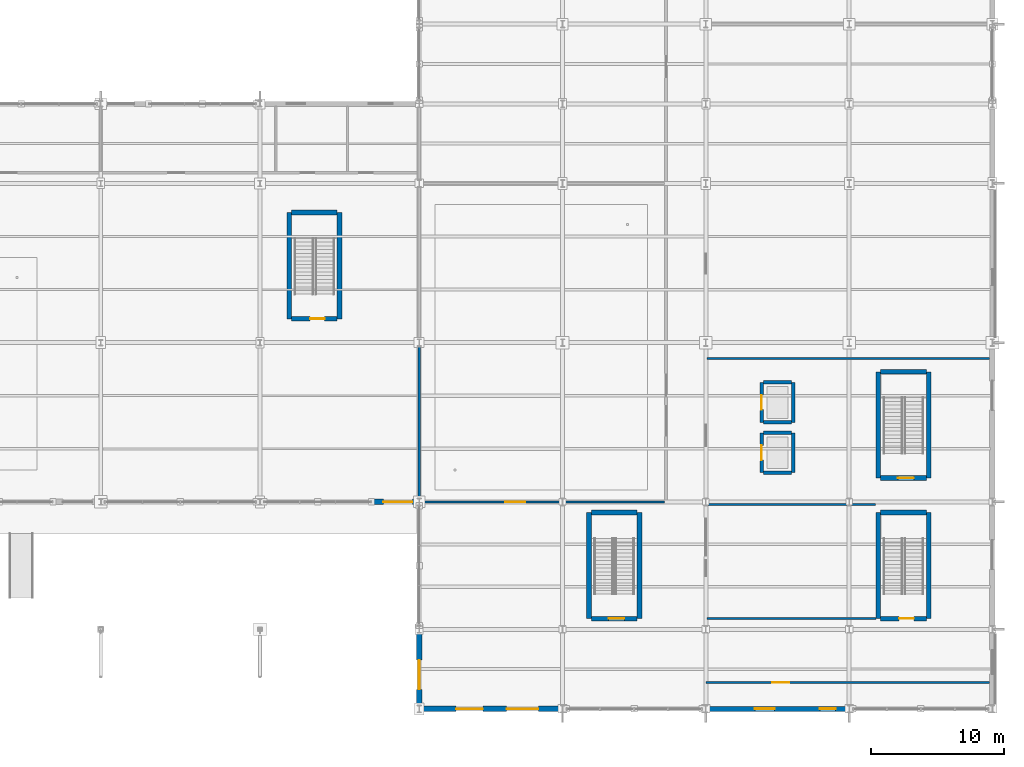
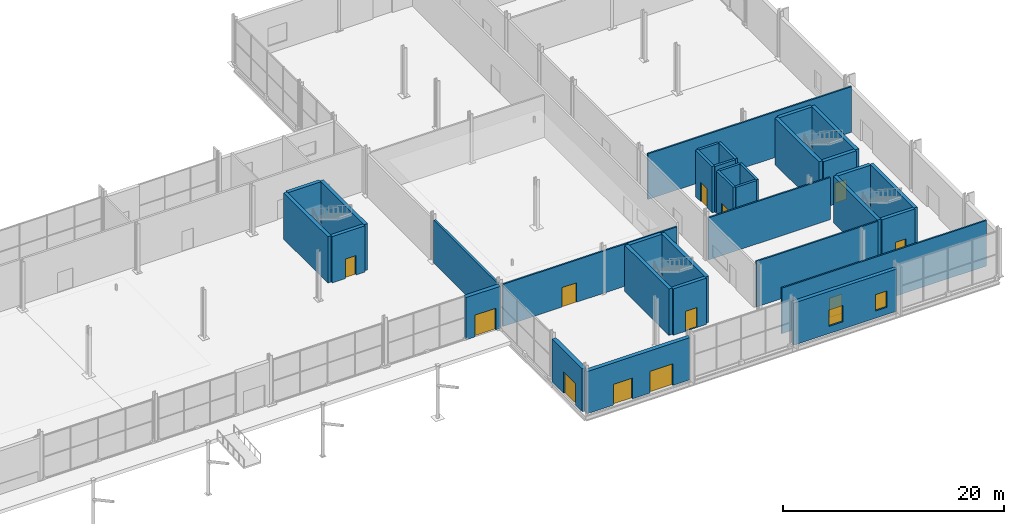
# One storey, part 174 of 196: 34 walls, 12 doors, 2 windows, 14 openings.
"""IFC4 building model written with IfcOpenShell, lengths in metres."""

from ifc_helpers import new_model, si_unit, direction, frame, frame_2d, origin, place, context, subcontext, project, spatial, rectangle, extrude, material, layer, layer_set, type_object, element, fill, save


model = new_model("IFC4")

# Units and contexts
model_context = context("Model", 3, precision=1e-05, world=origin(), true_north=direction((0.0, 1.0)))
body_context = subcontext(model_context, "Body", "Model", "MODEL_VIEW")
ifc_project = project(units=[si_unit("LENGTHUNIT", "METRE"), si_unit("AREAUNIT", "SQUARE_METRE"), si_unit("VOLUMEUNIT", "CUBIC_METRE"), si_unit("PLANEANGLEUNIT", "RADIAN"), si_unit("MASSUNIT", "GRAM", prefix="KILO")], contexts=[model_context])

# Site, building, storey
site_placement = place(None, origin())
site = spatial("IfcSite", under=ifc_project, at=site_placement, CompositionType="ELEMENT")
building_placement = place(site_placement, origin())
building = spatial("IfcBuilding", under=site, at=building_placement, Name="Merenkruunu Market Hall", CompositionType="ELEMENT")
storey_placement = place(building_placement, origin())
storey = spatial("IfcBuildingStorey", under=building, at=storey_placement, Name="L00", CompositionType="ELEMENT", Elevation=0.0)

# Wall, opening, door
ifc_material_1 = material(Name="Kuru grey granite", Category="masonry")
ifc_layer_1 = layer(ifc_material_1, 0.419921875)
ifc_layer_set_1 = layer_set([ifc_layer_1], Name="Kuru grey granite")
wall_type_1 = type_object("IfcWallType", Name="Exterior Envelope Wall EW01", PredefinedType="STANDARD", material=ifc_layer_set_1)
wall_1_placement = place(storey_placement, frame((148.789794921875, 15.60009765625, 0.0), z_axis=(0.0, 0.0, 1.0), x_axis=(-1.0, 0.0, 0.0)))
wall_1 = element("IfcWall", 1, at=wall_1_placement, inside=storey, type_object=wall_type_1, Name="WALL-EXT-L00-0037", PredefinedType="STANDARD", context=body_context, shape_type="SweptSolid", body=[
    extrude(rectangle(XDim=3.58984375, YDim=0.419921875, at=frame_2d((1.794921875, 0.0))), origin(), (0.0, 0.0, 1.0), 4.6650390625),
])
opening_1_placement = place(wall_1_placement, frame((0.5, 0.0, 0.0)))
opening_1 = element("IfcOpeningElement", 2, at=opening_1_placement, cuts=wall_1, Name="Opening EXD02", PredefinedType="OPENING", context=body_context, shape_type="SweptSolid", body=[
    extrude(rectangle(XDim=2.199951171875, YDim=2.39990234375, at=frame_2d((1.10009765625, 1.199951171875))), frame((0.0, 0.219970703125, 0.0), z_axis=(0.0, -1.0, 0.0), x_axis=(1.0, 0.0, 0.0)), (0.0, 0.0, 1.0), 0.43994140625),
])
ifc_material_2 = material(Name="Powder-coated aluminium", Category="aluminium")
door_type_1 = type_object("IfcDoorType", Name="Pedestrian Exit Door EXD02", OperationType="NOTDEFINED", PredefinedType="DOOR", material=ifc_material_2)
door_1_placement = place(opening_1_placement, origin())
door_1 = element("IfcDoor", 3, at=door_1_placement, inside=storey, type_object=door_type_1, Name="EX-21", OperationType="DOUBLE_DOOR_SINGLE_SWING", OverallHeight=2.39990234375, OverallWidth=2.199951171875, PredefinedType="DOOR", context=body_context, shape_type="SweptSolid", body=[
    extrude(rectangle(XDim=2.199951171875, YDim=2.39990234375, at=frame_2d((1.10009765625, 1.199951171875))), frame((0.0, 0.02490234375, 0.0), z_axis=(0.0, -1.0, 0.0), x_axis=(1.0, 0.0, 0.0)), (0.0, 0.0, 1.0), 0.050048828125),
])
fill(opening_1, door_1)

# Wall, openings, doors
wall_2_placement = place(storey_placement, frame((159.58837890625, 0.0, 0.0), z_axis=(0.0, 0.0, 1.0), x_axis=(-1.0, 0.0, 0.0)))
wall_2 = element("IfcWall", 4, at=wall_2_placement, inside=storey, type_object=wall_type_1, Name="WALL-EXT-L00-0057", PredefinedType="STANDARD", context=body_context, shape_type="SweptSolid", body=[
    extrude(rectangle(XDim=10.778076171875, YDim=0.419921875, at=frame_2d((5.38916015625, 0.0))), origin(), (0.0, 0.0, 1.0), 4.6650390625),
])
opening_2_placement = place(wall_2_placement, frame((1.800048828125, 0.0, 0.0)))
opening_2 = element("IfcOpeningElement", 5, at=opening_2_placement, cuts=wall_2, Name="Opening EXD01", PredefinedType="OPENING", context=body_context, shape_type="SweptSolid", body=[
    extrude(rectangle(XDim=2.39990234375, YDim=2.39990234375, at=frame_2d((1.199951171875, 1.199951171875))), frame((0.0, 0.219970703125, 0.0), z_axis=(0.0, -1.0, 0.0), x_axis=(1.0, 0.0, 0.0)), (0.0, 0.0, 1.0), 0.43994140625),
])
opening_3_placement = place(wall_2_placement, frame((6.0, 0.0, 0.0)))
opening_3 = element("IfcOpeningElement", 6, at=opening_3_placement, cuts=wall_2, Name="Opening EXD03", PredefinedType="OPENING", context=body_context, shape_type="SweptSolid", body=[
    extrude(rectangle(XDim=2.0, YDim=2.300048828125, at=frame_2d((1.0, 1.14990234375))), frame((0.0, 0.219970703125, 0.0), z_axis=(0.0, -1.0, 0.0), x_axis=(1.0, 0.0, 0.0)), (0.0, 0.0, 1.0), 0.43994140625),
])
door_type_2 = type_object("IfcDoorType", Name="Pedestrian Exit Door EXD01", OperationType="NOTDEFINED", PredefinedType="DOOR", material=ifc_material_2)
door_2_placement = place(opening_2_placement, origin())
door_2 = element("IfcDoor", 7, at=door_2_placement, inside=storey, type_object=door_type_2, Name="EX-25", OperationType="DOUBLE_DOOR_SINGLE_SWING", OverallHeight=2.39990234375, OverallWidth=2.39990234375, PredefinedType="DOOR", context=body_context, shape_type="SweptSolid", body=[
    extrude(rectangle(XDim=2.39990234375, YDim=2.39990234375, at=frame_2d((1.199951171875, 1.199951171875))), frame((0.0, 0.02490234375, 0.0), z_axis=(0.0, -1.0, 0.0), x_axis=(1.0, 0.0, 0.0)), (0.0, 0.0, 1.0), 0.050048828125),
])
fill(opening_2, door_2)
door_type_3 = type_object("IfcDoorType", Name="Pedestrian Exit Door EXD03", OperationType="NOTDEFINED", PredefinedType="DOOR", material=ifc_material_2)
door_3_placement = place(opening_3_placement, origin())
door_3 = element("IfcDoor", 8, at=door_3_placement, inside=storey, type_object=door_type_3, Name="EX-26", OperationType="DOUBLE_DOOR_SINGLE_SWING", OverallHeight=2.300048828125, OverallWidth=2.0, PredefinedType="DOOR", context=body_context, shape_type="SweptSolid", body=[
    extrude(rectangle(XDim=2.0, YDim=2.300048828125, at=frame_2d((1.0, 1.14990234375))), frame((0.0, 0.02490234375, 0.0), z_axis=(0.0, -1.0, 0.0), x_axis=(1.0, 0.0, 0.0)), (0.0, 0.0, 1.0), 0.050048828125),
])
fill(opening_3, door_3)

# Wall, opening, door
wall_3_placement = place(storey_placement, frame((148.800048828125, 0.27392578125, 0.0), z_axis=(0.0, 0.0, 1.0), x_axis=(0.0, 1.0, 0.0)))
wall_3 = element("IfcWall", 9, at=wall_3_placement, inside=storey, type_object=wall_type_1, Name="WALL-EXT-L00-0069", PredefinedType="STANDARD", context=body_context, shape_type="SweptSolid", body=[
    extrude(rectangle(XDim=5.4521484375, YDim=0.419921875, at=frame_2d((2.72607421875, 0.0))), origin(), (0.0, 0.0, 1.0), 4.764892578125),
])
opening_4_placement = place(wall_3_placement, frame((1.199951171875, 0.0, 0.0)))
opening_4 = element("IfcOpeningElement", 10, at=opening_4_placement, cuts=wall_3, Name="Opening EXD02", PredefinedType="OPENING", context=body_context, shape_type="SweptSolid", body=[
    extrude(rectangle(XDim=2.199951171875, YDim=2.39990234375, at=frame_2d((1.10009765625, 1.199951171875))), frame((0.0, 0.219970703125, 0.0), z_axis=(0.0, -1.0, 0.0), x_axis=(1.0, 0.0, 0.0)), (0.0, 0.0, 1.0), 0.43994140625),
])
door_4_placement = place(opening_4_placement, origin())
door_4 = element("IfcDoor", 11, at=door_4_placement, inside=storey, type_object=door_type_1, Name="EX-31", OperationType="DOUBLE_DOOR_SINGLE_SWING", OverallHeight=2.39990234375, OverallWidth=2.199951171875, PredefinedType="DOOR", context=body_context, shape_type="SweptSolid", body=[
    extrude(rectangle(XDim=2.199951171875, YDim=2.39990234375, at=frame_2d((1.10009765625, 1.199951171875))), frame((0.0, 0.02490234375, 0.0), z_axis=(0.0, -1.0, 0.0), x_axis=(1.0, 0.0, 0.0)), (0.0, 0.0, 1.0), 0.050048828125),
])
fill(opening_4, door_4)

# Wall, openings, windows
ifc_material_3 = material(Name="Precast concrete C40/50", Category="concrete")
ifc_layer_2 = layer(ifc_material_3, 0.3798828125)
ifc_layer_set_2 = layer_set([ifc_layer_2], Name="Precast concrete C40/50")
wall_type_2 = type_object("IfcWallType", Name="Exterior Envelope Wall EW02", PredefinedType="STANDARD", material=ifc_layer_set_2)
wall_4_placement = place(storey_placement, frame((181.1884765625, 0.0, 0.0), z_axis=(0.0, 0.0, 1.0), x_axis=(-1.0, 0.0, 0.0)))
wall_4 = element("IfcWall", 12, at=wall_4_placement, inside=storey, type_object=wall_type_2, Name="WALL-EXT-L00-0058", PredefinedType="STANDARD", context=body_context, shape_type="SweptSolid", body=[
    extrude(rectangle(XDim=10.77685546875, YDim=0.3798828125, at=frame_2d((5.388427734375, 0.0))), origin(), (0.0, 0.0, 1.0), 4.6650390625),
])
opening_5_placement = place(wall_4_placement, frame((1.0, 0.0, 0.800048828125)))
opening_5 = element("IfcOpeningElement", 13, at=opening_5_placement, cuts=wall_4, Name="Opening WN01", PredefinedType="OPENING", context=body_context, shape_type="SweptSolid", body=[
    extrude(rectangle(XDim=1.199951171875, YDim=1.800048828125, at=frame_2d((0.60009765625, 0.89990234375))), frame((0.0, 0.199951171875, 0.0), z_axis=(0.0, -1.0, 0.0), x_axis=(1.0, 0.0, 0.0)), (0.0, 0.0, 1.0), 0.39990234375),
])
opening_6_placement = place(wall_4_placement, frame((5.60009765625, 0.0, 0.800048828125)))
opening_6 = element("IfcOpeningElement", 14, at=opening_6_placement, cuts=wall_4, Name="Opening WN02", PredefinedType="OPENING", context=body_context, shape_type="SweptSolid", body=[
    extrude(rectangle(XDim=1.5, YDim=1.800048828125, at=frame_2d((0.75, 0.89990234375))), frame((0.0, 0.199951171875, 0.0), z_axis=(0.0, -1.0, 0.0), x_axis=(1.0, 0.0, 0.0)), (0.0, 0.0, 1.0), 0.39990234375),
])
ifc_material_4 = material(Name="Triple low-E insulated glass", Category="glass")
ifc_layer_3 = layer(ifc_material_4, 0.06005859375)
ifc_layer_set_3 = layer_set([ifc_layer_3], Name="Triple low-E insulated glass")
window_type_1 = type_object("IfcWindowType", Name="Exterior Window WN01", PartitioningType="SINGLE_PANEL", PredefinedType="WINDOW", material=ifc_layer_set_3)
window_1_placement = place(opening_5_placement, origin())
window_1 = element("IfcWindow", 15, at=window_1_placement, inside=storey, type_object=window_type_1, Name="WIN-L00-0020", OverallHeight=1.800048828125, OverallWidth=1.199951171875, PartitioningType="SINGLE_PANEL", PredefinedType="WINDOW", context=body_context, shape_type="SweptSolid", body=[
    extrude(rectangle(XDim=1.199951171875, YDim=1.800048828125, at=frame_2d((0.60009765625, 0.89990234375))), frame((0.0, 0.030029296875, 0.0), z_axis=(0.0, -1.0, 0.0), x_axis=(1.0, 0.0, 0.0)), (0.0, 0.0, 1.0), 0.06005859375),
])
fill(opening_5, window_1)
ifc_layer_4 = layer(ifc_material_4, 0.06005859375)
ifc_layer_set_4 = layer_set([ifc_layer_4], Name="Triple low-E insulated glass")
window_type_2 = type_object("IfcWindowType", Name="Exterior Window WN02", PartitioningType="SINGLE_PANEL", PredefinedType="WINDOW", material=ifc_layer_set_4)
window_2_placement = place(opening_6_placement, origin())
window_2 = element("IfcWindow", 16, at=window_2_placement, inside=storey, type_object=window_type_2, Name="WIN-L00-0021", OverallHeight=1.800048828125, OverallWidth=1.5, PartitioningType="SINGLE_PANEL", PredefinedType="WINDOW", context=body_context, shape_type="SweptSolid", body=[
    extrude(rectangle(XDim=1.5, YDim=1.800048828125, at=frame_2d((0.75, 0.89990234375))), frame((0.0, 0.030029296875, 0.0), z_axis=(0.0, -1.0, 0.0), x_axis=(1.0, 0.0, 0.0)), (0.0, 0.0, 1.0), 0.06005859375),
])
fill(opening_6, window_2)

# Wall
ifc_material_5 = material(Name="Acoustic mineral wool panel")
ifc_layer_5 = layer(ifc_material_5, 0.219970703125)
ifc_layer_set_5 = layer_set([ifc_layer_5], Name="Acoustic mineral wool panel")
wall_type_3 = type_object("IfcWallType", Name="Interior Partition Wall FW01", PredefinedType="PARTITIONING", material=ifc_layer_set_5)
wall_5_placement = place(storey_placement, frame((148.800048828125, 15.8798828125, 0.0), z_axis=(0.0, 0.0, 1.0), x_axis=(0.0, 1.0, 0.0)))
element("IfcWall", 17, at=wall_5_placement, inside=storey, type_object=wall_type_3, Name="WALL-EXT-L00-0070", PredefinedType="PARTITIONING", context=body_context, shape_type="SweptSolid", body=[
    extrude(rectangle(XDim=11.440185546875, YDim=0.219970703125, at=frame_2d((5.72021484375, 0.0))), origin(), (0.0, 0.0, 1.0), 4.764892578125),
])

# Wall, opening, door
ifc_material_6 = material(Name="Gypsum acoustic partition board")
ifc_layer_6 = layer(ifc_material_6, 0.159912109375)
ifc_layer_set_6 = layer_set([ifc_layer_6], Name="Gypsum acoustic partition board")
wall_type_4 = type_object("IfcWallType", Name="Interior Partition Wall PW01", PredefinedType="PARTITIONING", material=ifc_layer_set_6)
wall_6_placement = place(storey_placement, frame((170.39990234375, 2.0, 0.0), z_axis=(0.0, 0.0, 1.0), x_axis=(1.0, 0.0, 0.0)))
wall_6 = element("IfcWall", 18, at=wall_6_placement, inside=storey, type_object=wall_type_4, Name="WALL-INT-L00-0042", PredefinedType="PARTITIONING", context=body_context, shape_type="SweptSolid", body=[
    extrude(rectangle(XDim=21.38818359375, YDim=0.159912109375, at=frame_2d((10.694091796875, 0.0))), origin(), (0.0, 0.0, 1.0), 5.0400390625),
])
opening_7_placement = place(wall_6_placement, frame((5.0, 0.0, 0.0)))
opening_7 = element("IfcOpeningElement", 19, at=opening_7_placement, cuts=wall_6, Name="Opening D05", PredefinedType="OPENING", context=body_context, shape_type="SweptSolid", body=[
    extrude(rectangle(XDim=1.300048828125, YDim=2.14990234375, at=frame_2d((0.64990234375, 1.074951171875))), frame((0.0, 0.08984375, 0.0), z_axis=(0.0, -1.0, 0.0), x_axis=(1.0, 0.0, 0.0)), (0.0, 0.0, 1.0), 0.179931640625),
])
ifc_material_7 = material(Name="Lacquered Nordic birch")
door_type_4 = type_object("IfcDoorType", Name="Pedestrian Room Door D05", OperationType="NOTDEFINED", PredefinedType="DOOR", material=ifc_material_7)
door_5_placement = place(opening_7_placement, origin())
door_5 = element("IfcDoor", 20, at=door_5_placement, inside=storey, type_object=door_type_4, Name="DR-L00-046", OperationType="SINGLE_SWING_RIGHT", OverallHeight=2.14990234375, OverallWidth=1.300048828125, PredefinedType="DOOR", context=body_context, shape_type="SweptSolid", body=[
    extrude(rectangle(XDim=1.300048828125, YDim=2.14990234375, at=frame_2d((0.64990234375, 1.074951171875))), frame((0.0, 0.02490234375, 0.0), z_axis=(0.0, -1.0, 0.0), x_axis=(1.0, 0.0, 0.0)), (0.0, 0.0, 1.0), 0.050048828125),
])
fill(opening_7, door_5)

wall_7_placement = place(storey_placement, frame((149.10009765625, 15.60009765625, 0.0), z_axis=(0.0, 0.0, 1.0), x_axis=(1.0, 0.0, 0.0)))
wall_7 = element("IfcWall", 21, at=wall_7_placement, inside=storey, type_object=wall_type_4, Name="WALL-INT-L00-0044", PredefinedType="PARTITIONING", context=body_context, shape_type="SweptSolid", body=[
    extrude(rectangle(XDim=18.197998046875, YDim=0.159912109375, at=frame_2d((9.09912109375, 0.0))), origin(), (0.0, 0.0, 1.0), 4.6650390625),
])
opening_8_placement = place(wall_7_placement, frame((6.199951171875, 0.0, 0.0)))
opening_8 = element("IfcOpeningElement", 22, at=opening_8_placement, cuts=wall_7, Name="Opening D06", PredefinedType="OPENING", context=body_context, shape_type="SweptSolid", body=[
    extrude(rectangle(XDim=1.5, YDim=2.14990234375, at=frame_2d((0.75, 1.074951171875))), frame((0.0, 0.08984375, 0.0), z_axis=(0.0, -1.0, 0.0), x_axis=(1.0, 0.0, 0.0)), (0.0, 0.0, 1.0), 0.179931640625),
])
door_type_5 = type_object("IfcDoorType", Name="Pedestrian Room Door D06", OperationType="NOTDEFINED", PredefinedType="DOOR", material=ifc_material_7)
door_6_placement = place(opening_8_placement, origin())
door_6 = element("IfcDoor", 23, at=door_6_placement, inside=storey, type_object=door_type_5, Name="DR-L00-049", OperationType="SINGLE_SWING_LEFT", OverallHeight=2.14990234375, OverallWidth=1.5, PredefinedType="DOOR", context=body_context, shape_type="SweptSolid", body=[
    extrude(rectangle(XDim=1.5, YDim=2.14990234375, at=frame_2d((0.75, 1.074951171875))), frame((0.0, 0.02490234375, 0.0), z_axis=(0.0, -1.0, 0.0), x_axis=(1.0, 0.0, 0.0)), (0.0, 0.0, 1.0), 0.050048828125),
])
fill(opening_8, door_6)

# Walls
wall_8_placement = place(storey_placement, frame((170.501953125, 6.800048828125, 0.0), z_axis=(0.0, 0.0, 1.0), x_axis=(1.0, 0.0, 0.0)))
element("IfcWall", 24, at=wall_8_placement, inside=storey, type_object=wall_type_4, Name="WALL-INT-L00-0047", PredefinedType="PARTITIONING", context=body_context, shape_type="SweptSolid", body=[
    extrude(rectangle(XDim=12.716064453125, YDim=0.159912109375, at=frame_2d((6.35791015625, 0.0))), origin(), (0.0, 0.0, 1.0), 5.0400390625),
])
wall_9_placement = place(storey_placement, frame((170.501953125, 15.39990234375, 0.0), z_axis=(0.0, 0.0, 1.0), x_axis=(1.0, 0.0, 0.0)))
element("IfcWall", 25, at=wall_9_placement, inside=storey, type_object=wall_type_4, Name="WALL-INT-L00-0048", PredefinedType="PARTITIONING", context=body_context, shape_type="SweptSolid", body=[
    extrude(rectangle(XDim=12.697998046875, YDim=0.159912109375, at=frame_2d((6.34912109375, 0.0))), origin(), (0.0, 0.0, 1.0), 4.6650390625),
])
wall_10_placement = place(storey_placement, frame((170.501953125, 26.39990234375, 0.0), z_axis=(0.0, 0.0, 1.0), x_axis=(1.0, 0.0, 0.0)))
element("IfcWall", 26, at=wall_10_placement, inside=storey, type_object=wall_type_4, Name="WALL-INT-L00-0049", PredefinedType="PARTITIONING", context=body_context, shape_type="SweptSolid", body=[
    extrude(rectangle(XDim=21.2861328125, YDim=0.159912109375, at=frame_2d((10.64306640625, 0.0))), origin(), (0.0, 0.0, 1.0), 5.0400390625),
])

# Wall, opening, door
ifc_material_8 = material(Name="Concrete C35/45", Category="concrete")
ifc_layer_7 = layer(ifc_material_8, 0.360107421875)
ifc_layer_set_7 = layer_set([ifc_layer_7], Name="Concrete C35/45")
wall_type_5 = type_object("IfcWallType", Name="Structural Shear Wall SW01", PredefinedType="SHEAR", material=ifc_layer_set_7)
wall_11_placement = place(storey_placement, frame((187.02001953125, 6.800048828125, 0.0), z_axis=(0.0, 0.0, 1.0), x_axis=(-1.0, 0.0, 0.0)))
wall_11 = element("IfcWall", 27, at=wall_11_placement, inside=storey, type_object=wall_type_5, Name="WALL-CORE-K5-L00-S", PredefinedType="SHEAR", context=body_context, shape_type="SweptSolid", body=[
    extrude(rectangle(XDim=3.43994140625, YDim=0.360107421875, at=frame_2d((1.719970703125, 0.0))), origin(), (0.0, 0.0, 1.0), 5.1201171875),
])
opening_9_placement = place(wall_11_placement, frame((0.949951171875, 0.0, 0.0)))
opening_9 = element("IfcOpeningElement", 28, at=opening_9_placement, cuts=wall_11, Name="Opening FD02", PredefinedType="OPENING", context=body_context, shape_type="SweptSolid", body=[
    extrude(rectangle(XDim=1.10009765625, YDim=2.14990234375, at=frame_2d((0.550048828125, 1.074951171875))), frame((0.0, 0.18994140625, 0.0), z_axis=(0.0, -1.0, 0.0), x_axis=(1.0, 0.0, 0.0)), (0.0, 0.0, 1.0), 0.380126953125),
])
door_type_6 = type_object("IfcDoorType", Name="Fire Compartment Door FD02", OperationType="NOTDEFINED", PredefinedType="DOOR", material=ifc_material_2)
door_7_placement = place(opening_9_placement, origin())
door_7 = element("IfcDoor", 29, at=door_7_placement, inside=storey, type_object=door_type_6, Name="DR-L00-111", OperationType="SINGLE_SWING_LEFT", OverallHeight=2.14990234375, OverallWidth=1.10009765625, PredefinedType="DOOR", context=body_context, shape_type="SweptSolid", body=[
    extrude(rectangle(XDim=1.10009765625, YDim=2.14990234375, at=frame_2d((0.550048828125, 1.074951171875))), frame((0.0, 0.02490234375, 0.0), z_axis=(0.0, -1.0, 0.0), x_axis=(1.0, 0.0, 0.0)), (0.0, 0.0, 1.0), 0.050048828125),
])
fill(opening_9, door_7)

# Walls
wall_12_placement = place(storey_placement, frame((187.199951171875, 6.800048828125, 0.0), z_axis=(0.0, 0.0, 1.0), x_axis=(0.0, 1.0, 0.0)))
element("IfcWall", 30, at=wall_12_placement, inside=storey, type_object=wall_type_5, Name="WALL-CORE-K5-L00-E", PredefinedType="SHEAR", context=body_context, shape_type="SweptSolid", body=[
    extrude(rectangle(XDim=8.0, YDim=0.360107421875, at=frame_2d((4.0, 0.0))), origin(), (0.0, 0.0, 1.0), 5.1201171875),
])
wall_13_placement = place(storey_placement, frame((187.02001953125, 14.800048828125, 0.0), z_axis=(0.0, 0.0, 1.0), x_axis=(-1.0, 0.0, 0.0)))
element("IfcWall", 31, at=wall_13_placement, inside=storey, type_object=wall_type_5, Name="WALL-CORE-K5-L00-N", PredefinedType="SHEAR", context=body_context, shape_type="SweptSolid", body=[
    extrude(rectangle(XDim=3.43994140625, YDim=0.360107421875, at=frame_2d((1.719970703125, 0.0))), origin(), (0.0, 0.0, 1.0), 5.1201171875),
])
wall_14_placement = place(storey_placement, frame((183.39990234375, 14.800048828125, 0.0), z_axis=(0.0, 0.0, 1.0), x_axis=(0.0, -1.0, 0.0)))
element("IfcWall", 32, at=wall_14_placement, inside=storey, type_object=wall_type_5, Name="WALL-CORE-K5-L00-W", PredefinedType="SHEAR", context=body_context, shape_type="SweptSolid", body=[
    extrude(rectangle(XDim=8.0, YDim=0.360107421875, at=frame_2d((4.0, 0.0))), origin(), (0.0, 0.0, 1.0), 5.1201171875),
])

# Wall, opening, door
wall_15_placement = place(storey_placement, frame((187.02001953125, 17.39990234375, 0.0), z_axis=(0.0, 0.0, 1.0), x_axis=(-1.0, 0.0, 0.0)))
wall_15 = element("IfcWall", 33, at=wall_15_placement, inside=storey, type_object=wall_type_5, Name="WALL-CORE-K6-L00-S", PredefinedType="SHEAR", context=body_context, shape_type="SweptSolid", body=[
    extrude(rectangle(XDim=3.43994140625, YDim=0.360107421875, at=frame_2d((1.719970703125, 0.0))), origin(), (0.0, 0.0, 1.0), 5.1201171875),
])
opening_10_placement = place(wall_15_placement, frame((0.949951171875, 0.0, 0.0)))
opening_10 = element("IfcOpeningElement", 34, at=opening_10_placement, cuts=wall_15, Name="Opening FD03", PredefinedType="OPENING", context=body_context, shape_type="SweptSolid", body=[
    extrude(rectangle(XDim=1.199951171875, YDim=2.199951171875, at=frame_2d((0.60009765625, 1.10009765625))), frame((0.0, 0.18994140625, 0.0), z_axis=(0.0, -1.0, 0.0), x_axis=(1.0, 0.0, 0.0)), (0.0, 0.0, 1.0), 0.380126953125),
])
door_type_7 = type_object("IfcDoorType", Name="Fire Compartment Door FD03", OperationType="NOTDEFINED", PredefinedType="DOOR", material=ifc_material_2)
door_8_placement = place(opening_10_placement, origin())
door_8 = element("IfcDoor", 35, at=door_8_placement, inside=storey, type_object=door_type_7, Name="DR-L00-116", OperationType="SINGLE_SWING_RIGHT", OverallHeight=2.199951171875, OverallWidth=1.199951171875, PredefinedType="DOOR", context=body_context, shape_type="SweptSolid", body=[
    extrude(rectangle(XDim=1.199951171875, YDim=2.199951171875, at=frame_2d((0.60009765625, 1.10009765625))), frame((0.0, 0.02490234375, 0.0), z_axis=(0.0, -1.0, 0.0), x_axis=(1.0, 0.0, 0.0)), (0.0, 0.0, 1.0), 0.050048828125),
])
fill(opening_10, door_8)

# Walls
wall_16_placement = place(storey_placement, frame((187.199951171875, 17.39990234375, 0.0), z_axis=(0.0, 0.0, 1.0), x_axis=(0.0, 1.0, 0.0)))
element("IfcWall", 36, at=wall_16_placement, inside=storey, type_object=wall_type_5, Name="WALL-CORE-K6-L00-E", PredefinedType="SHEAR", context=body_context, shape_type="SweptSolid", body=[
    extrude(rectangle(XDim=8.0, YDim=0.360107421875, at=frame_2d((4.0, 0.0))), origin(), (0.0, 0.0, 1.0), 5.1201171875),
])
wall_17_placement = place(storey_placement, frame((187.02001953125, 25.39990234375, 0.0), z_axis=(0.0, 0.0, 1.0), x_axis=(-1.0, 0.0, 0.0)))
element("IfcWall", 37, at=wall_17_placement, inside=storey, type_object=wall_type_5, Name="WALL-CORE-K6-L00-N", PredefinedType="SHEAR", context=body_context, shape_type="SweptSolid", body=[
    extrude(rectangle(XDim=3.43994140625, YDim=0.360107421875, at=frame_2d((1.719970703125, 0.0))), origin(), (0.0, 0.0, 1.0), 5.1201171875),
])
wall_18_placement = place(storey_placement, frame((183.39990234375, 25.39990234375, 0.0), z_axis=(0.0, 0.0, 1.0), x_axis=(0.0, -1.0, 0.0)))
element("IfcWall", 38, at=wall_18_placement, inside=storey, type_object=wall_type_5, Name="WALL-CORE-K6-L00-W", PredefinedType="SHEAR", context=body_context, shape_type="SweptSolid", body=[
    extrude(rectangle(XDim=8.0, YDim=0.360107421875, at=frame_2d((4.0, 0.0))), origin(), (0.0, 0.0, 1.0), 5.1201171875),
])

# Wall, opening, door
wall_19_placement = place(storey_placement, frame((142.6201171875, 29.39990234375, 0.0), z_axis=(0.0, 0.0, 1.0), x_axis=(-1.0, 0.0, 0.0)))
wall_19 = element("IfcWall", 39, at=wall_19_placement, inside=storey, type_object=wall_type_5, Name="WALL-CORE-K8-L00-S", PredefinedType="SHEAR", context=body_context, shape_type="SweptSolid", body=[
    extrude(rectangle(XDim=3.440185546875, YDim=0.360107421875, at=frame_2d((1.72021484375, 0.0))), origin(), (0.0, 0.0, 1.0), 5.1201171875),
])
opening_11_placement = place(wall_19_placement, frame((0.949951171875, 0.0, 0.0)))
opening_11 = element("IfcOpeningElement", 40, at=opening_11_placement, cuts=wall_19, Name="Opening FD02", PredefinedType="OPENING", context=body_context, shape_type="SweptSolid", body=[
    extrude(rectangle(XDim=1.10009765625, YDim=2.14990234375, at=frame_2d((0.550048828125, 1.074951171875))), frame((0.0, 0.18994140625, 0.0), z_axis=(0.0, -1.0, 0.0), x_axis=(1.0, 0.0, 0.0)), (0.0, 0.0, 1.0), 0.380126953125),
])
door_9_placement = place(opening_11_placement, origin())
door_9 = element("IfcDoor", 41, at=door_9_placement, inside=storey, type_object=door_type_6, Name="DR-L00-123", OperationType="SINGLE_SWING_LEFT", OverallHeight=2.14990234375, OverallWidth=1.10009765625, PredefinedType="DOOR", context=body_context, shape_type="SweptSolid", body=[
    extrude(rectangle(XDim=1.10009765625, YDim=2.14990234375, at=frame_2d((0.550048828125, 1.074951171875))), frame((0.0, 0.02490234375, 0.0), z_axis=(0.0, -1.0, 0.0), x_axis=(1.0, 0.0, 0.0)), (0.0, 0.0, 1.0), 0.050048828125),
])
fill(opening_11, door_9)

# Walls
wall_20_placement = place(storey_placement, frame((142.800048828125, 29.39990234375, 0.0), z_axis=(0.0, 0.0, 1.0), x_axis=(0.0, 1.0, 0.0)))
element("IfcWall", 42, at=wall_20_placement, inside=storey, type_object=wall_type_5, Name="WALL-CORE-K8-L00-E", PredefinedType="SHEAR", context=body_context, shape_type="SweptSolid", body=[
    extrude(rectangle(XDim=8.0, YDim=0.360107421875, at=frame_2d((4.0, 0.0))), origin(), (0.0, 0.0, 1.0), 5.1201171875),
])
wall_21_placement = place(storey_placement, frame((142.6201171875, 37.39990234375, 0.0), z_axis=(0.0, 0.0, 1.0), x_axis=(-1.0, 0.0, 0.0)))
element("IfcWall", 43, at=wall_21_placement, inside=storey, type_object=wall_type_5, Name="WALL-CORE-K8-L00-N", PredefinedType="SHEAR", context=body_context, shape_type="SweptSolid", body=[
    extrude(rectangle(XDim=3.440185546875, YDim=0.360107421875, at=frame_2d((1.72021484375, 0.0))), origin(), (0.0, 0.0, 1.0), 5.1201171875),
])
wall_22_placement = place(storey_placement, frame((139.0, 37.39990234375, 0.0), z_axis=(0.0, 0.0, 1.0), x_axis=(0.0, -1.0, 0.0)))
element("IfcWall", 44, at=wall_22_placement, inside=storey, type_object=wall_type_5, Name="WALL-CORE-K8-L00-W", PredefinedType="SHEAR", context=body_context, shape_type="SweptSolid", body=[
    extrude(rectangle(XDim=8.0, YDim=0.360107421875, at=frame_2d((4.0, 0.0))), origin(), (0.0, 0.0, 1.0), 5.1201171875),
])

# Wall, opening, door
wall_23_placement = place(storey_placement, frame((165.219970703125, 6.800048828125, 0.0), z_axis=(0.0, 0.0, 1.0), x_axis=(-1.0, 0.0, 0.0)))
wall_23 = element("IfcWall", 45, at=wall_23_placement, inside=storey, type_object=wall_type_5, Name="WALL-CORE-K9-L00-S", PredefinedType="SHEAR", context=body_context, shape_type="SweptSolid", body=[
    extrude(rectangle(XDim=3.43994140625, YDim=0.360107421875, at=frame_2d((1.719970703125, 0.0))), origin(), (0.0, 0.0, 1.0), 5.1201171875),
])
opening_12_placement = place(wall_23_placement, frame((0.949951171875, 0.0, 0.0)))
opening_12 = element("IfcOpeningElement", 46, at=opening_12_placement, cuts=wall_23, Name="Opening FD03", PredefinedType="OPENING", context=body_context, shape_type="SweptSolid", body=[
    extrude(rectangle(XDim=1.199951171875, YDim=2.199951171875, at=frame_2d((0.60009765625, 1.10009765625))), frame((0.0, 0.18994140625, 0.0), z_axis=(0.0, -1.0, 0.0), x_axis=(1.0, 0.0, 0.0)), (0.0, 0.0, 1.0), 0.380126953125),
])
door_10_placement = place(opening_12_placement, origin())
door_10 = element("IfcDoor", 47, at=door_10_placement, inside=storey, type_object=door_type_7, Name="DR-L00-125", OperationType="SINGLE_SWING_LEFT", OverallHeight=2.199951171875, OverallWidth=1.199951171875, PredefinedType="DOOR", context=body_context, shape_type="SweptSolid", body=[
    extrude(rectangle(XDim=1.199951171875, YDim=2.199951171875, at=frame_2d((0.60009765625, 1.10009765625))), frame((0.0, 0.02490234375, 0.0), z_axis=(0.0, -1.0, 0.0), x_axis=(1.0, 0.0, 0.0)), (0.0, 0.0, 1.0), 0.050048828125),
])
fill(opening_12, door_10)

# Walls
wall_24_placement = place(storey_placement, frame((165.39990234375, 6.800048828125, 0.0), z_axis=(0.0, 0.0, 1.0), x_axis=(0.0, 1.0, 0.0)))
element("IfcWall", 48, at=wall_24_placement, inside=storey, type_object=wall_type_5, Name="WALL-CORE-K9-L00-E", PredefinedType="SHEAR", context=body_context, shape_type="SweptSolid", body=[
    extrude(rectangle(XDim=8.0, YDim=0.360107421875, at=frame_2d((4.0, 0.0))), origin(), (0.0, 0.0, 1.0), 5.1201171875),
])
wall_25_placement = place(storey_placement, frame((165.219970703125, 14.800048828125, 0.0), z_axis=(0.0, 0.0, 1.0), x_axis=(-1.0, 0.0, 0.0)))
element("IfcWall", 49, at=wall_25_placement, inside=storey, type_object=wall_type_5, Name="WALL-CORE-K9-L00-N", PredefinedType="SHEAR", context=body_context, shape_type="SweptSolid", body=[
    extrude(rectangle(XDim=3.43994140625, YDim=0.360107421875, at=frame_2d((1.719970703125, 0.0))), origin(), (0.0, 0.0, 1.0), 5.1201171875),
])
wall_26_placement = place(storey_placement, frame((161.60009765625, 14.800048828125, 0.0), z_axis=(0.0, 0.0, 1.0), x_axis=(0.0, -1.0, 0.0)))
element("IfcWall", 50, at=wall_26_placement, inside=storey, type_object=wall_type_5, Name="WALL-CORE-K9-L00-W", PredefinedType="SHEAR", context=body_context, shape_type="SweptSolid", body=[
    extrude(rectangle(XDim=8.0, YDim=0.360107421875, at=frame_2d((4.0, 0.0))), origin(), (0.0, 0.0, 1.0), 5.1201171875),
])
ifc_layer_8 = layer(ifc_material_8, 0.260009765625)
ifc_layer_set_8 = layer_set([ifc_layer_8], Name="Concrete C35/45")
wall_type_6 = type_object("IfcWallType", Name="Structural Shear Wall SW03", PredefinedType="SHEAR", material=ifc_layer_set_8)
wall_27_placement = place(storey_placement, frame((174.72998046875, 17.800048828125, 0.0), z_axis=(0.0, 0.0, 1.0), x_axis=(1.0, 0.0, 0.0)))
element("IfcWall", 51, at=wall_27_placement, inside=storey, type_object=wall_type_6, Name="WALL-LIFT-LP4-L00-S", PredefinedType="SHEAR", context=body_context, shape_type="SweptSolid", body=[
    extrude(rectangle(XDim=2.14013671875, YDim=0.260009765625, at=frame_2d((1.070068359375, 0.0))), origin(), (0.0, 0.0, 1.0), 5.1201171875),
])
wall_28_placement = place(storey_placement, frame((177.0, 17.800048828125, 0.0), z_axis=(0.0, 0.0, 1.0), x_axis=(0.0, 1.0, 0.0)))
element("IfcWall", 52, at=wall_28_placement, inside=storey, type_object=wall_type_6, Name="WALL-LIFT-LP4-L00-E", PredefinedType="SHEAR", context=body_context, shape_type="SweptSolid", body=[
    extrude(rectangle(XDim=3.0, YDim=0.260009765625, at=frame_2d((1.5, 0.0))), origin(), (0.0, 0.0, 1.0), 5.1201171875),
])
wall_29_placement = place(storey_placement, frame((176.8701171875, 20.800048828125, 0.0), z_axis=(0.0, 0.0, 1.0), x_axis=(-1.0, 0.0, 0.0)))
element("IfcWall", 53, at=wall_29_placement, inside=storey, type_object=wall_type_6, Name="WALL-LIFT-LP4-L00-N", PredefinedType="SHEAR", context=body_context, shape_type="SweptSolid", body=[
    extrude(rectangle(XDim=2.14013671875, YDim=0.260009765625, at=frame_2d((1.070068359375, 0.0))), origin(), (0.0, 0.0, 1.0), 5.1201171875),
])

# Wall, opening, door
wall_30_placement = place(storey_placement, frame((174.60009765625, 20.800048828125, 0.0), z_axis=(0.0, 0.0, 1.0), x_axis=(0.0, -1.0, 0.0)))
wall_30 = element("IfcWall", 54, at=wall_30_placement, inside=storey, type_object=wall_type_6, Name="WALL-LIFT-LP4-L00-W", PredefinedType="SHEAR", context=body_context, shape_type="SweptSolid", body=[
    extrude(rectangle(XDim=3.0, YDim=0.260009765625, at=frame_2d((1.5, 0.0))), origin(), (0.0, 0.0, 1.0), 5.1201171875),
])
opening_13_placement = place(wall_30_placement, frame((0.949951171875, 0.0, 0.0)))
opening_13 = element("IfcOpeningElement", 55, at=opening_13_placement, cuts=wall_30, Name="Opening LD01", PredefinedType="OPENING", context=body_context, shape_type="SweptSolid", body=[
    extrude(rectangle(XDim=1.10009765625, YDim=2.10009765625, at=frame_2d((0.550048828125, 1.050048828125))), frame((0.0, 0.14013671875, 0.0), z_axis=(0.0, -1.0, 0.0), x_axis=(1.0, 0.0, 0.0)), (0.0, 0.0, 1.0), 0.280029296875),
])
ifc_material_9 = material(Name="Brushed stainless steel", Category="steel")
door_type_8 = type_object("IfcDoorType", Name="Lift Landing Sliding Door LD01", OperationType="NOTDEFINED", PredefinedType="DOOR", material=ifc_material_9)
door_11_placement = place(opening_13_placement, origin())
door_11 = element("IfcDoor", 56, at=door_11_placement, inside=storey, type_object=door_type_8, Name="Lift landing door LP4 L00", OperationType="SLIDING_TO_LEFT", OverallHeight=2.10009765625, OverallWidth=1.10009765625, PredefinedType="DOOR", context=body_context, shape_type="SweptSolid", body=[
    extrude(rectangle(XDim=1.10009765625, YDim=2.10009765625, at=frame_2d((0.550048828125, 1.050048828125))), frame((0.0, 0.02490234375, 0.0), z_axis=(0.0, -1.0, 0.0), x_axis=(1.0, 0.0, 0.0)), (0.0, 0.0, 1.0), 0.050048828125),
])
fill(opening_13, door_11)

# Walls
wall_31_placement = place(storey_placement, frame((174.72998046875, 21.60009765625, 0.0), z_axis=(0.0, 0.0, 1.0), x_axis=(1.0, 0.0, 0.0)))
element("IfcWall", 57, at=wall_31_placement, inside=storey, type_object=wall_type_6, Name="WALL-LIFT-LP5-L00-S", PredefinedType="SHEAR", context=body_context, shape_type="SweptSolid", body=[
    extrude(rectangle(XDim=2.14013671875, YDim=0.260009765625, at=frame_2d((1.070068359375, 0.0))), origin(), (0.0, 0.0, 1.0), 5.1201171875),
])
wall_32_placement = place(storey_placement, frame((177.0, 21.60009765625, 0.0), z_axis=(0.0, 0.0, 1.0), x_axis=(0.0, 1.0, 0.0)))
element("IfcWall", 58, at=wall_32_placement, inside=storey, type_object=wall_type_6, Name="WALL-LIFT-LP5-L00-E", PredefinedType="SHEAR", context=body_context, shape_type="SweptSolid", body=[
    extrude(rectangle(XDim=3.0, YDim=0.260009765625, at=frame_2d((1.5, 0.0))), origin(), (0.0, 0.0, 1.0), 5.1201171875),
])
wall_33_placement = place(storey_placement, frame((176.8701171875, 24.60009765625, 0.0), z_axis=(0.0, 0.0, 1.0), x_axis=(-1.0, 0.0, 0.0)))
element("IfcWall", 59, at=wall_33_placement, inside=storey, type_object=wall_type_6, Name="WALL-LIFT-LP5-L00-N", PredefinedType="SHEAR", context=body_context, shape_type="SweptSolid", body=[
    extrude(rectangle(XDim=2.14013671875, YDim=0.260009765625, at=frame_2d((1.070068359375, 0.0))), origin(), (0.0, 0.0, 1.0), 5.1201171875),
])

# Wall, opening, door
wall_34_placement = place(storey_placement, frame((174.60009765625, 24.60009765625, 0.0), z_axis=(0.0, 0.0, 1.0), x_axis=(0.0, -1.0, 0.0)))
wall_34 = element("IfcWall", 60, at=wall_34_placement, inside=storey, type_object=wall_type_6, Name="WALL-LIFT-LP5-L00-W", PredefinedType="SHEAR", context=body_context, shape_type="SweptSolid", body=[
    extrude(rectangle(XDim=3.0, YDim=0.260009765625, at=frame_2d((1.5, 0.0))), origin(), (0.0, 0.0, 1.0), 5.1201171875),
])
opening_14_placement = place(wall_34_placement, frame((0.949951171875, 0.0, 0.0)))
opening_14 = element("IfcOpeningElement", 61, at=opening_14_placement, cuts=wall_34, Name="Opening LD01", PredefinedType="OPENING", context=body_context, shape_type="SweptSolid", body=[
    extrude(rectangle(XDim=1.10009765625, YDim=2.10009765625, at=frame_2d((0.550048828125, 1.050048828125))), frame((0.0, 0.14013671875, 0.0), z_axis=(0.0, -1.0, 0.0), x_axis=(1.0, 0.0, 0.0)), (0.0, 0.0, 1.0), 0.280029296875),
])
door_12_placement = place(opening_14_placement, origin())
door_12 = element("IfcDoor", 62, at=door_12_placement, inside=storey, type_object=door_type_8, Name="Lift landing door LP5 L00", OperationType="SLIDING_TO_LEFT", OverallHeight=2.10009765625, OverallWidth=1.10009765625, PredefinedType="DOOR", context=body_context, shape_type="SweptSolid", body=[
    extrude(rectangle(XDim=1.10009765625, YDim=2.10009765625, at=frame_2d((0.550048828125, 1.050048828125))), frame((0.0, 0.02490234375, 0.0), z_axis=(0.0, -1.0, 0.0), x_axis=(1.0, 0.0, 0.0)), (0.0, 0.0, 1.0), 0.050048828125),
])
fill(opening_14, door_12)

save(model, "model.ifc")
